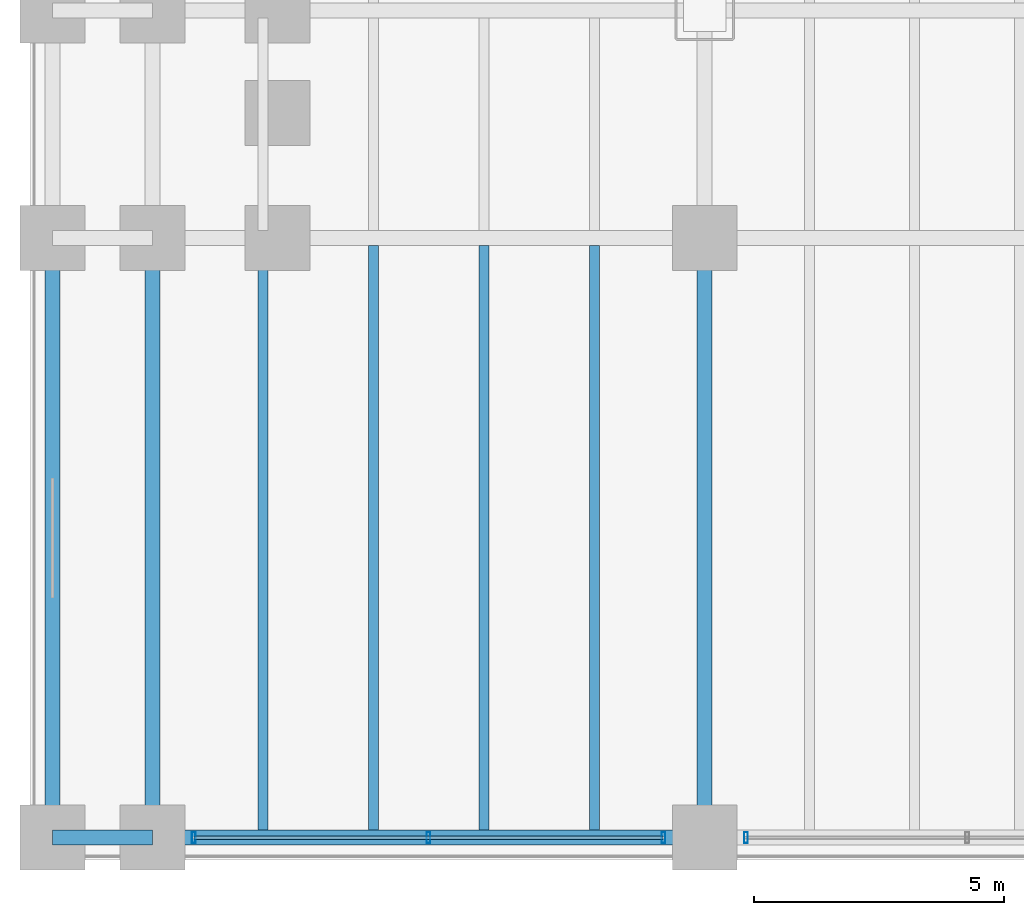
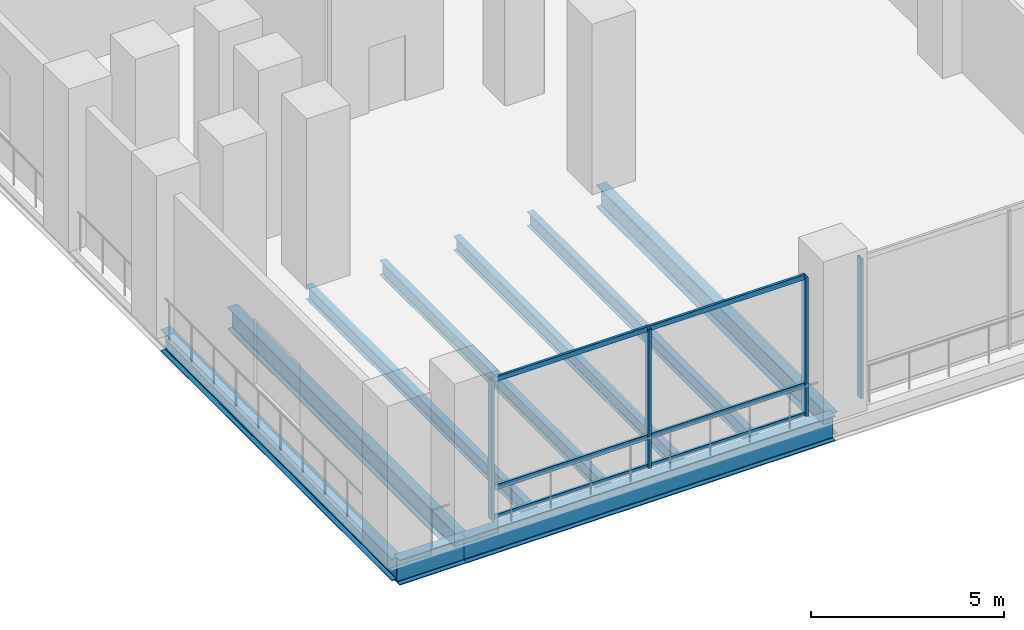
# One storey, part 4 of 30: 9 beams, 7 members, 2 elements without a shape of their own.
"""IFC4 building model written with IfcOpenShell, lengths in metres."""

from ifc_helpers import new_model, si_unit, direction, frame, origin, origin_2d, place, context, subcontext, project, spatial, hollow_rectangle, i_section, extrude, material, material_profile, profile_set, type_object, element, aggregate, save


model = new_model("IFC4")

# Units and contexts
model_context = context("Model", 3, precision=1e-05, world=origin(), true_north=direction((0.0, 1.0)))
body_context = subcontext(model_context, "Body", "Model", "MODEL_VIEW")
ifc_project = project(units=[si_unit("LENGTHUNIT", "METRE"), si_unit("AREAUNIT", "SQUARE_METRE"), si_unit("VOLUMEUNIT", "CUBIC_METRE"), si_unit("PLANEANGLEUNIT", "RADIAN"), si_unit("MASSUNIT", "GRAM", prefix="KILO")], contexts=[model_context])

# Site, building, storey
site_placement = place(None, origin())
site = spatial("IfcSite", under=ifc_project, at=site_placement, CompositionType="ELEMENT")
building_placement = place(site_placement, origin())
building = spatial("IfcBuilding", under=site, at=building_placement, Name="Noeulbin Bourse Tower", CompositionType="ELEMENT")
storey_placement = place(building_placement, frame((0.0, 0.0, 16.60009765625)))
storey = spatial("IfcBuildingStorey", under=building, at=storey_placement, Name="L04", CompositionType="ELEMENT", Elevation=16.60009765625)

# Beams
ifc_material_1 = material(Name="Steel S355", Category="steel")
ifc_material_profile_1 = material_profile(ifc_material_1, i_section(OverallWidth=0.300048828125, OverallDepth=0.699951171875, WebThickness=0.012939453125, FlangeThickness=0.02392578125, FilletRadius=0.02392578125, at=origin_2d()), Name="H-700x300x13x24", Category="LoadBearing")
ifc_profile_set_1 = profile_set([ifc_material_profile_1], Name="Steel S355")
beam_type_1 = type_object("IfcBeamType", Name="BM-GRD-700", PredefinedType="USERDEFINED", material=ifc_profile_set_1)
for number, where, z_axis, x_axis, name in (
    (1, (0.449951171875, 3.449951171875, -0.60009765625), (0.0, 1.0, 0.0), (-1.0, 0.0, 0.0), "Podium Primary Girder NS L04-057"),
    (2, (2.449951171875, 3.449951171875, -0.60009765625), (0.0, 1.0, 0.0), (-1.0, 0.0, 0.0), "Podium Primary Girder NS L04-063"),
    (3, (13.5, 3.449951171875, -0.60009765625), (0.0, 1.0, 0.0), (-1.0, 0.0, 0.0), "Podium Primary Girder NS L04-069"),
):
    element("IfcBeam", number, at=place(storey_placement, frame(where, z_axis=z_axis, x_axis=x_axis)), inside=storey, type_object=beam_type_1, Name=name, ObjectType="GIRDER", PredefinedType="USERDEFINED", context=body_context, shape_type="SweptSolid", body=[
        extrude(i_section(OverallWidth=0.300048828125, OverallDepth=0.699951171875, WebThickness=0.012939453125, FlangeThickness=0.02392578125, FilletRadius=0.02392578125, at=origin_2d()), origin(), (0.0, 0.0, 1.0), 12.0),
    ])
ifc_material_profile_2 = material_profile(ifc_material_1, i_section(OverallWidth=0.300048828125, OverallDepth=0.800048828125, WebThickness=0.013916015625, FlangeThickness=0.02587890625, FilletRadius=0.02587890625, at=origin_2d()), Name="H-800x300x14x26", Category="LoadBearing")
ifc_profile_set_2 = profile_set([ifc_material_profile_2], Name="Steel S355")
beam_type_2 = type_object("IfcBeamType", Name="BM-GRD-800", PredefinedType="USERDEFINED", material=ifc_profile_set_2)
beam_1_placement = place(storey_placement, frame((0.449951171875, 3.449951171875, -0.650146484375), z_axis=(1.0, 0.0, 0.0), x_axis=(0.0, 1.0, 0.0)))
element("IfcBeam", 4, at=beam_1_placement, inside=storey, type_object=beam_type_2, Name="Podium Primary Girder EW L04-001", ObjectType="GIRDER", PredefinedType="USERDEFINED", context=body_context, shape_type="SweptSolid", body=[
    extrude(i_section(OverallWidth=0.300048828125, OverallDepth=0.800048828125, WebThickness=0.013916015625, FlangeThickness=0.02587890625, FilletRadius=0.02587890625, at=origin_2d()), origin(), (0.0, 0.0, 1.0), 2.0),
])
beam_2_placement = place(storey_placement, frame((2.449951171875, 3.449951171875, -0.650146484375), z_axis=(1.0, 0.0, 0.0), x_axis=(0.0, 1.0, 0.0)))
element("IfcBeam", 5, at=beam_2_placement, inside=storey, type_object=beam_type_2, Name="Podium Primary Girder EW L04-002", ObjectType="GIRDER", PredefinedType="USERDEFINED", context=body_context, shape_type="SweptSolid", body=[
    extrude(i_section(OverallWidth=0.300048828125, OverallDepth=0.800048828125, WebThickness=0.013916015625, FlangeThickness=0.02587890625, FilletRadius=0.02587890625, at=origin_2d()), origin(), (0.0, 0.0, 1.0), 11.050048828125),
])
ifc_material_profile_3 = material_profile(ifc_material_1, i_section(OverallWidth=0.199951171875, OverallDepth=0.449951171875, WebThickness=0.009033203125, FlangeThickness=0.013916015625, FilletRadius=0.01806640625, at=origin_2d()), Name="H-450x200x9x14", Category="LoadBearing")
ifc_profile_set_3 = profile_set([ifc_material_profile_3], Name="Steel S355")
beam_type_3 = type_object("IfcBeamType", Name="BM-SEC-450", PredefinedType="BEAM", material=ifc_profile_set_3)
for number, where, z_axis, x_axis, name in (
    (6, (4.659912109375, 3.60009765625, -0.47509765625), (0.0, 1.0, 0.0), (-1.0, 0.0, 0.0), "Podium Secondary Beam L04-001"),
    (7, (6.8701171875, 3.60009765625, -0.47509765625), (0.0, 1.0, 0.0), (-1.0, 0.0, 0.0), "Podium Secondary Beam L04-007"),
    (8, (9.080078125, 3.60009765625, -0.47509765625), (0.0, 1.0, 0.0), (-1.0, 0.0, 0.0), "Podium Secondary Beam L04-013"),
    (9, (11.2900390625, 3.60009765625, -0.47509765625), (0.0, 1.0, 0.0), (-1.0, 0.0, 0.0), "Podium Secondary Beam L04-018"),
):
    element("IfcBeam", number, at=place(storey_placement, frame(where, z_axis=z_axis, x_axis=x_axis)), inside=storey, type_object=beam_type_3, Name=name, PredefinedType="BEAM", context=body_context, shape_type="SweptSolid", body=[
        extrude(i_section(OverallWidth=0.199951171875, OverallDepth=0.449951171875, WebThickness=0.009033203125, FlangeThickness=0.013916015625, FilletRadius=0.01806640625, at=origin_2d()), origin(), (0.0, 0.0, 1.0), 11.699951171875),
    ])

# Curtain wall, members
ifc_material_2 = material(Name="Laminated Clear Low-E Glass", Category="glass")
curtain_wall_type = type_object("IfcCurtainWallType", Name="CW-SYS-1", PredefinedType="NOTDEFINED", material=ifc_material_2)
curtain_wall_1_placement = place(storey_placement, origin())
curtain_wall_1 = element("IfcCurtainWall", 10, at=curtain_wall_1_placement, inside=storey, type_object=curtain_wall_type, Name="Unitised Curtain Wall CW-L04-POD-S-S1", PredefinedType="NOTDEFINED")
ifc_material_3 = material(Name="Anodised Aluminium 6063-T6", Category="aluminium")
ifc_material_profile_4 = material_profile(ifc_material_3, hollow_rectangle(XDim=0.074951171875, YDim=0.219970703125, WallThickness=0.0048828125, InnerFilletRadius=0.00244140625, OuterFilletRadius=0.0048828125, at=origin_2d()), Name="ALU-MULL-75x220x5", Category="LoadBearing")
ifc_profile_set_4 = profile_set([ifc_material_profile_4], Name="Anodised Aluminium 6063-T6")
member_type_1 = type_object("IfcMemberType", Name="CW-SYS-1-MUL", PredefinedType="MULLION", material=ifc_profile_set_4)
member_1_placement = place(storey_placement, frame((3.27490234375, 3.449951171875, -0.02001953125), z_axis=(0.0, 0.0, 1.0), x_axis=(1.0, 0.0, 0.0)))
member_1 = element("IfcMember", 11, at=member_1_placement, type_object=member_type_1, Name="Curtain Wall Mullion CW-L04-POD-S-S1-M00", PredefinedType="MULLION", context=body_context, shape_type="SweptSolid", body=[
    extrude(hollow_rectangle(XDim=0.074951171875, YDim=0.219970703125, WallThickness=0.0048828125, InnerFilletRadius=0.00244140625, OuterFilletRadius=0.0048828125, at=origin_2d()), origin(), (0.0, 0.0, 1.0), 4.419921875),
])
member_2_placement = place(storey_placement, frame((7.97509765625, 3.449951171875, -0.02001953125), z_axis=(0.0, 0.0, 1.0), x_axis=(1.0, 0.0, 0.0)))
member_2 = element("IfcMember", 12, at=member_2_placement, type_object=member_type_1, Name="Curtain Wall Mullion CW-L04-POD-S-S1-M01", PredefinedType="MULLION", context=body_context, shape_type="SweptSolid", body=[
    extrude(hollow_rectangle(XDim=0.074951171875, YDim=0.219970703125, WallThickness=0.0048828125, InnerFilletRadius=0.00244140625, OuterFilletRadius=0.0048828125, at=origin_2d()), origin(), (0.0, 0.0, 1.0), 4.419921875),
])
member_3_placement = place(storey_placement, frame((12.675048828125, 3.449951171875, -0.02001953125), z_axis=(0.0, 0.0, 1.0), x_axis=(1.0, 0.0, 0.0)))
member_3 = element("IfcMember", 13, at=member_3_placement, type_object=member_type_1, Name="Curtain Wall Mullion CW-L04-POD-S-S1-M02", PredefinedType="MULLION", context=body_context, shape_type="SweptSolid", body=[
    extrude(hollow_rectangle(XDim=0.074951171875, YDim=0.219970703125, WallThickness=0.0048828125, InnerFilletRadius=0.00244140625, OuterFilletRadius=0.0048828125, at=origin_2d()), origin(), (0.0, 0.0, 1.0), 4.419921875),
])

# Curtain wall, member
curtain_wall_2_placement = place(storey_placement, origin())
curtain_wall_2 = element("IfcCurtainWall", 14, at=curtain_wall_2_placement, inside=storey, type_object=curtain_wall_type, Name="Unitised Curtain Wall CW-L04-POD-S-S2", PredefinedType="NOTDEFINED")
member_4_placement = place(storey_placement, frame((14.324951171875, 3.449951171875, -0.02001953125), z_axis=(0.0, 0.0, 1.0), x_axis=(1.0, 0.0, 0.0)))
member_4 = element("IfcMember", 15, at=member_4_placement, type_object=member_type_1, Name="Curtain Wall Mullion CW-L04-POD-S-S2-M00", PredefinedType="MULLION", context=body_context, shape_type="SweptSolid", body=[
    extrude(hollow_rectangle(XDim=0.074951171875, YDim=0.219970703125, WallThickness=0.0048828125, InnerFilletRadius=0.00244140625, OuterFilletRadius=0.0048828125, at=origin_2d()), origin(), (0.0, 0.0, 1.0), 4.419921875),
])
aggregate(curtain_wall_2, [member_4])

# Member
ifc_material_profile_5 = material_profile(ifc_material_3, hollow_rectangle(XDim=0.074951171875, YDim=0.159912109375, WallThickness=0.0048828125, InnerFilletRadius=0.00244140625, OuterFilletRadius=0.0048828125, at=origin_2d()), Name="ALU-TRAN-75x160x5", Category="LoadBearing")
ifc_profile_set_5 = profile_set([ifc_material_profile_5], Name="Anodised Aluminium 6063-T6")
member_type_2 = type_object("IfcMemberType", Name="CW-SYS-1-TRN", PredefinedType="USERDEFINED", material=ifc_profile_set_5)
member_5_placement = place(storey_placement, frame((3.284912109375, 3.449951171875, 0.010009765625), z_axis=(1.0, 0.0, 0.0), x_axis=(0.0, 1.0, 0.0)))
member_5 = element("IfcMember", 16, at=member_5_placement, type_object=member_type_2, Name="Curtain Wall Transom CW-L04-POD-S-S1-T00", ObjectType="TRANSOM", PredefinedType="USERDEFINED", context=body_context, shape_type="SweptSolid", body=[
    extrude(hollow_rectangle(XDim=0.074951171875, YDim=0.159912109375, WallThickness=0.0048828125, InnerFilletRadius=0.00244140625, OuterFilletRadius=0.0048828125, at=origin_2d()), origin(), (0.0, 0.0, 1.0), 9.380126953125),
])

member_6_placement = place(storey_placement, frame((3.284912109375, 3.449951171875, 0.949951171875), z_axis=(1.0, 0.0, 0.0), x_axis=(0.0, 1.0, 0.0)))
member_6 = element("IfcMember", 17, at=member_6_placement, type_object=member_type_2, Name="Curtain Wall Transom CW-L04-POD-S-S1-T01", ObjectType="TRANSOM", PredefinedType="USERDEFINED", context=body_context, shape_type="SweptSolid", body=[
    extrude(hollow_rectangle(XDim=0.074951171875, YDim=0.159912109375, WallThickness=0.0048828125, InnerFilletRadius=0.00244140625, OuterFilletRadius=0.0048828125, at=origin_2d()), origin(), (0.0, 0.0, 1.0), 9.380126953125),
])

member_7_placement = place(storey_placement, frame((3.284912109375, 3.449951171875, 4.369873046875), z_axis=(1.0, 0.0, 0.0), x_axis=(0.0, 1.0, 0.0)))
member_7 = element("IfcMember", 18, at=member_7_placement, type_object=member_type_2, Name="Curtain Wall Transom CW-L04-POD-S-S1-T02", ObjectType="TRANSOM", PredefinedType="USERDEFINED", context=body_context, shape_type="SweptSolid", body=[
    extrude(hollow_rectangle(XDim=0.074951171875, YDim=0.159912109375, WallThickness=0.0048828125, InnerFilletRadius=0.00244140625, OuterFilletRadius=0.0048828125, at=origin_2d()), origin(), (0.0, 0.0, 1.0), 9.380126953125),
])

aggregate(curtain_wall_1, [member_1, member_2, member_3, member_5, member_6, member_7])

save(model, "model.ifc")
